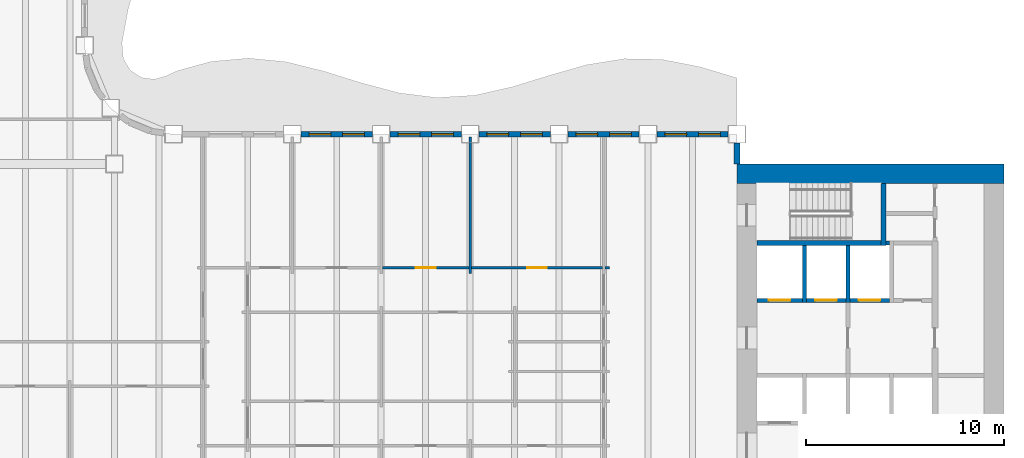
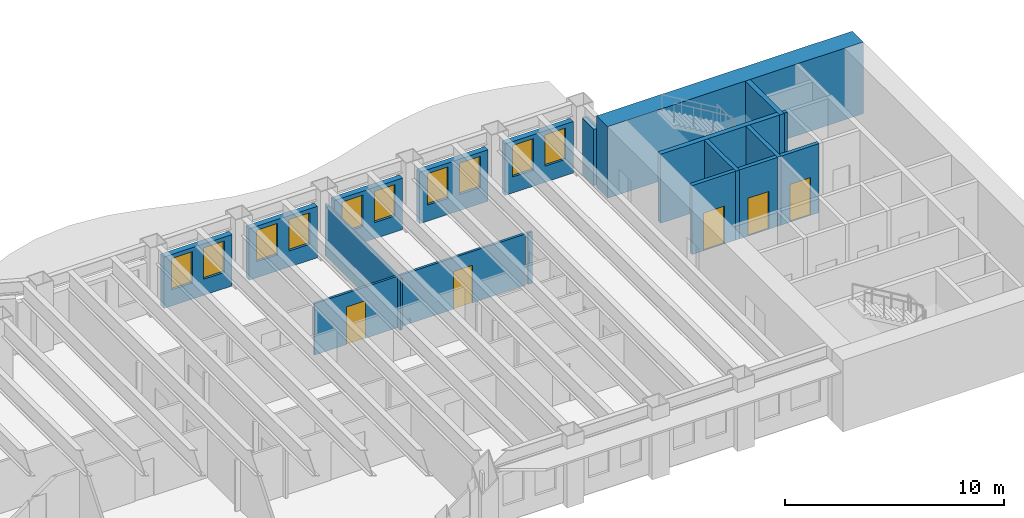
# One storey, part 7 of 16: 19 walls, 10 windows, 5 doors, 15 openings.
"""IFC4 building model written with IfcOpenShell, lengths in metres."""

from ifc_helpers import new_model, si_unit, direction, frame, frame_2d, origin, place, context, subcontext, project, spatial, rectangle, extrude, material, layer, layer_set, type_object, element, fill, save


model = new_model("IFC4")

# Units and contexts
model_context = context("Model", 3, precision=1e-05, world=origin(), true_north=direction((0.0, 1.0)))
body_context = subcontext(model_context, "Body", "Model", "MODEL_VIEW")
ifc_project = project(units=[si_unit("LENGTHUNIT", "METRE"), si_unit("AREAUNIT", "SQUARE_METRE"), si_unit("VOLUMEUNIT", "CUBIC_METRE"), si_unit("PLANEANGLEUNIT", "RADIAN"), si_unit("MASSUNIT", "GRAM", prefix="KILO")], contexts=[model_context])

# Site, building, storey
site_placement = place(None, origin())
site = spatial("IfcSite", under=ifc_project, at=site_placement, CompositionType="ELEMENT")
building_placement = place(site_placement, origin())
building = spatial("IfcBuilding", under=site, at=building_placement, Name="Sennacour Bend Tower", CompositionType="ELEMENT")
storey_placement = place(building_placement, frame((0.0, 0.0, 175.0)))
storey = spatial("IfcBuildingStorey", under=building, at=storey_placement, Name="L40", CompositionType="ELEMENT", Elevation=175.0)

# Walls
ifc_material_1 = material(Name="Concrete C60/75", Category="concrete")
ifc_layer_1 = layer(ifc_material_1, 1.0, Name="Concrete C60/75", Category="concrete")
ifc_layer_set_1 = layer_set([ifc_layer_1], Name="Concrete C60/75")
wall_type_1 = type_object("IfcWallType", Name="Core wall 1000 C60/75", PredefinedType="SHEAR", material=ifc_layer_set_1)
wall_1_placement = place(storey_placement, frame((54.0, 22.0, -0.14990234375), z_axis=(0.0, 0.0, 1.0), x_axis=(1.0, 0.0, 0.0)))
element("IfcWall", 1, at=wall_1_placement, inside=storey, type_object=wall_type_1, Name="Core A wall L40 N", PredefinedType="SHEAR", context=body_context, shape_type="SweptSolid", body=[
    extrude(rectangle(XDim=13.5, YDim=1.0, at=frame_2d((6.75, 0.0))), origin(), (0.0, 0.0, 1.0), 4.0),
])
ifc_material_2 = material(Name="Plasterboard partition on steel studs", Category="steel")
ifc_layer_2 = layer(ifc_material_2, 0.1201171875, Name="Plasterboard partition on steel studs", Category="steel")
ifc_layer_set_2 = layer_set([ifc_layer_2], Name="Plasterboard partition on steel studs")
wall_type_2 = type_object("IfcWallType", Name="Partition 120", PredefinedType="PARTITIONING", material=ifc_layer_set_2)
wall_2_placement = place(storey_placement, frame((40.5, 16.949951171875, 0.0), z_axis=(0.0, 0.0, 1.0), x_axis=(0.0, 1.0, 0.0)))
element("IfcWall", 2, at=wall_2_placement, inside=storey, type_object=wall_type_2, Name="P-L40-W034a", PredefinedType="PARTITIONING", context=body_context, shape_type="SweptSolid", body=[
    extrude(rectangle(XDim=6.900146484375, YDim=0.1201171875, at=frame_2d((3.4501953125, 0.0))), origin(), (0.0, 0.0, 1.0), 2.8701171875),
])

# Wall, opening, door
wall_3_placement = place(storey_placement, frame((36.06005859375, 17.25, 0.0), z_axis=(0.0, 0.0, 1.0), x_axis=(1.0, 0.0, 0.0)))
wall_3 = element("IfcWall", 3, at=wall_3_placement, inside=storey, type_object=wall_type_2, Name="P-L40-W073ae", PredefinedType="PARTITIONING", context=body_context, shape_type="SweptSolid", body=[
    extrude(rectangle(XDim=4.3798828125, YDim=0.1201171875, at=frame_2d((2.18994140625, 0.0))), origin(), (0.0, 0.0, 1.0), 2.8701171875),
])
opening_1_placement = place(wall_3_placement, frame((1.68994140625, 0.0, 0.0)))
opening_1 = element("IfcOpeningElement", 4, at=opening_1_placement, cuts=wall_3, Name="Opening MD2", PredefinedType="OPENING", context=body_context, shape_type="SweptSolid", body=[
    extrude(rectangle(XDim=1.0, YDim=2.10009765625, at=frame_2d((0.5, 1.050048828125))), frame((0.0, 0.070068359375, 0.0), z_axis=(0.0, -1.0, 0.0), x_axis=(1.0, 0.0, 0.0)), (0.0, 0.0, 1.0), 0.14013671875),
])
ifc_material_3 = material(Name="Timber", Category="wood")
door_type_1 = type_object("IfcDoorType", Name="DR-MEETING-1000", OperationType="NOTDEFINED", PredefinedType="DOOR", material=ifc_material_3)
door_1_placement = place(opening_1_placement, origin())
door_1 = element("IfcDoor", 5, at=door_1_placement, inside=storey, type_object=door_type_1, Name="Door", OperationType="SINGLE_SWING_LEFT", OverallHeight=2.10009765625, OverallWidth=1.0, PredefinedType="DOOR", context=body_context, shape_type="SweptSolid", body=[
    extrude(rectangle(XDim=1.0, YDim=2.10009765625, at=frame_2d((0.5, 1.050048828125))), frame((0.0, 0.02490234375, 0.0), z_axis=(0.0, -1.0, 0.0), x_axis=(1.0, 0.0, 0.0)), (0.0, 0.0, 1.0), 0.050048828125),
])
fill(opening_1, door_1)

wall_4_placement = place(storey_placement, frame((40.56005859375, 17.25, 0.0), z_axis=(0.0, 0.0, 1.0), x_axis=(1.0, 0.0, 0.0)))
wall_4 = element("IfcWall", 6, at=wall_4_placement, inside=storey, type_object=wall_type_2, Name="P-L40-W073af", PredefinedType="PARTITIONING", context=body_context, shape_type="SweptSolid", body=[
    extrude(rectangle(XDim=6.6298828125, YDim=0.1201171875, at=frame_2d((3.31494140625, 0.0))), origin(), (0.0, 0.0, 1.0), 2.8701171875),
])
opening_2_placement = place(wall_4_placement, frame((2.81494140625, 0.0, 0.0)))
opening_2 = element("IfcOpeningElement", 7, at=opening_2_placement, cuts=wall_4, Name="Opening OD2", PredefinedType="OPENING", context=body_context, shape_type="SweptSolid", body=[
    extrude(rectangle(XDim=1.0, YDim=2.10009765625, at=frame_2d((0.5, 1.050048828125))), frame((0.0, 0.070068359375, 0.0), z_axis=(0.0, -1.0, 0.0), x_axis=(1.0, 0.0, 0.0)), (0.0, 0.0, 1.0), 0.14013671875),
])
door_type_2 = type_object("IfcDoorType", Name="DR-OFFICE-1000", OperationType="NOTDEFINED", PredefinedType="DOOR", material=ifc_material_3)
door_2_placement = place(opening_2_placement, origin())
door_2 = element("IfcDoor", 8, at=door_2_placement, inside=storey, type_object=door_type_2, Name="Door", OperationType="SINGLE_SWING_LEFT", OverallHeight=2.10009765625, OverallWidth=1.0, PredefinedType="DOOR", context=body_context, shape_type="SweptSolid", body=[
    extrude(rectangle(XDim=1.0, YDim=2.10009765625, at=frame_2d((0.5, 1.050048828125))), frame((0.0, 0.02490234375, 0.0), z_axis=(0.0, -1.0, 0.0), x_axis=(1.0, 0.0, 0.0)), (0.0, 0.0, 1.0), 0.050048828125),
])
fill(opening_2, door_2)

# Walls
wall_5_placement = place(storey_placement, frame((47.31005859375, 17.25, 0.0), z_axis=(0.0, 0.0, 1.0), x_axis=(1.0, 0.0, 0.0)))
element("IfcWall", 9, at=wall_5_placement, inside=storey, type_object=wall_type_2, Name="P-L40-W073ag", PredefinedType="PARTITIONING", context=body_context, shape_type="SweptSolid", body=[
    extrude(rectangle(XDim=0.239990234375, YDim=0.1201171875, at=frame_2d((0.1201171875, 0.0))), origin(), (0.0, 0.0, 1.0), 2.8701171875),
])
ifc_material_4 = material(Name="Warm limestone cladding", Category="masonry")
ifc_layer_3 = layer(ifc_material_4, 0.050048828125, Name="Warm limestone cladding", Category="masonry")
ifc_material_5 = material(Name="Precast concrete C40/50", Category="concrete")
ifc_layer_4 = layer(ifc_material_5, 0.25, Name="Precast concrete C40/50", Category="concrete")
ifc_layer_set_3 = layer_set([ifc_layer_3, ifc_layer_4], Name="Precast concrete C40/50 with limestone cladding")
wall_type_3 = type_object("IfcWallType", Name="STONE-CLAD PRECAST SPANDREL 300", PredefinedType="STANDARD", material=ifc_layer_set_3)
wall_6_placement = place(storey_placement, frame((54.0, 22.5, 0.0), z_axis=(0.0, 0.0, 1.0), x_axis=(0.0, 1.0, 0.0)))
element("IfcWall", 10, at=wall_6_placement, inside=storey, type_object=wall_type_3, Name="Stone spandrel and pier wall L40 07.00", PredefinedType="STANDARD", context=body_context, shape_type="SweptSolid", body=[
    extrude(rectangle(XDim=1.050048828125, YDim=0.300048828125, at=frame_2d((0.52490234375, 0.0))), origin(), (0.0, 0.0, 1.0), 3.14892578125),
])

# Wall, openings, windows
wall_7_placement = place(storey_placement, frame((53.550048828125, 24.0, 0.0), z_axis=(0.0, 0.0, 1.0), x_axis=(-1.0, 0.0, 0.0)))
wall_7 = element("IfcWall", 11, at=wall_7_placement, inside=storey, type_object=wall_type_3, Name="Stone spandrel and pier wall L40 08.00", PredefinedType="STANDARD", context=body_context, shape_type="SweptSolid", body=[
    extrude(rectangle(XDim=3.60009765625, YDim=0.300048828125, at=frame_2d((1.800048828125, 0.0))), origin(), (0.0, 0.0, 1.0), 2.8701171875),
])
opening_3_placement = place(wall_7_placement, frame((0.39990234375, 0.0, 0.89990234375)))
opening_3 = element("IfcOpeningElement", 12, at=opening_3_placement, cuts=wall_7, Name="Opening W17", PredefinedType="OPENING", context=body_context, shape_type="SweptSolid", body=[
    extrude(rectangle(XDim=1.10009765625, YDim=1.75, at=frame_2d((0.550048828125, 0.875))), frame((0.0, 0.16015625, 0.0), z_axis=(0.0, -1.0, 0.0), x_axis=(1.0, 0.0, 0.0)), (0.0, 0.0, 1.0), 0.320068359375),
])
opening_4_placement = place(wall_7_placement, frame((2.10009765625, 0.0, 0.89990234375)))
opening_4 = element("IfcOpeningElement", 13, at=opening_4_placement, cuts=wall_7, Name="Opening W17", PredefinedType="OPENING", context=body_context, shape_type="SweptSolid", body=[
    extrude(rectangle(XDim=1.10009765625, YDim=1.75, at=frame_2d((0.550048828125, 0.875))), frame((0.0, 0.16015625, 0.0), z_axis=(0.0, -1.0, 0.0), x_axis=(1.0, 0.0, 0.0)), (0.0, 0.0, 1.0), 0.320068359375),
])
ifc_material_6 = material(Name="Clear low-emissivity glass", Category="glass")
window_type = type_object("IfcWindowType", Name="WIN-RIBBON-1100x1750", PartitioningType="SINGLE_PANEL", PredefinedType="WINDOW", material=ifc_material_6)
window_1_placement = place(opening_3_placement, origin())
window_1 = element("IfcWindow", 14, at=window_1_placement, inside=storey, type_object=window_type, Name="Ribbon window L40 08.00.0", OverallHeight=1.75, OverallWidth=1.10009765625, PartitioningType="SINGLE_PANEL", PredefinedType="WINDOW", context=body_context, shape_type="SweptSolid", body=[
    extrude(rectangle(XDim=1.10009765625, YDim=1.75, at=frame_2d((0.550048828125, 0.875))), frame((0.0, 0.030029296875, 0.0), z_axis=(0.0, -1.0, 0.0), x_axis=(1.0, 0.0, 0.0)), (0.0, 0.0, 1.0), 0.06005859375),
])
fill(opening_3, window_1)
window_2_placement = place(opening_4_placement, origin())
window_2 = element("IfcWindow", 15, at=window_2_placement, inside=storey, type_object=window_type, Name="Ribbon window L40 08.00.1", OverallHeight=1.75, OverallWidth=1.10009765625, PartitioningType="SINGLE_PANEL", PredefinedType="WINDOW", context=body_context, shape_type="SweptSolid", body=[
    extrude(rectangle(XDim=1.10009765625, YDim=1.75, at=frame_2d((0.550048828125, 0.875))), frame((0.0, 0.030029296875, 0.0), z_axis=(0.0, -1.0, 0.0), x_axis=(1.0, 0.0, 0.0)), (0.0, 0.0, 1.0), 0.06005859375),
])
fill(opening_4, window_2)

wall_8_placement = place(storey_placement, frame((49.050048828125, 24.0, 0.0), z_axis=(0.0, 0.0, 1.0), x_axis=(-1.0, 0.0, 0.0)))
wall_8 = element("IfcWall", 16, at=wall_8_placement, inside=storey, type_object=wall_type_3, Name="Stone spandrel and pier wall L40 08.01", PredefinedType="STANDARD", context=body_context, shape_type="SweptSolid", body=[
    extrude(rectangle(XDim=3.60009765625, YDim=0.300048828125, at=frame_2d((1.800048828125, 0.0))), origin(), (0.0, 0.0, 1.0), 2.8701171875),
])
opening_5_placement = place(wall_8_placement, frame((0.39990234375, 0.0, 0.89990234375)))
opening_5 = element("IfcOpeningElement", 17, at=opening_5_placement, cuts=wall_8, Name="Opening W17", PredefinedType="OPENING", context=body_context, shape_type="SweptSolid", body=[
    extrude(rectangle(XDim=1.10009765625, YDim=1.75, at=frame_2d((0.550048828125, 0.875))), frame((0.0, 0.16015625, 0.0), z_axis=(0.0, -1.0, 0.0), x_axis=(1.0, 0.0, 0.0)), (0.0, 0.0, 1.0), 0.320068359375),
])
opening_6_placement = place(wall_8_placement, frame((2.10009765625, 0.0, 0.89990234375)))
opening_6 = element("IfcOpeningElement", 18, at=opening_6_placement, cuts=wall_8, Name="Opening W17", PredefinedType="OPENING", context=body_context, shape_type="SweptSolid", body=[
    extrude(rectangle(XDim=1.10009765625, YDim=1.75, at=frame_2d((0.550048828125, 0.875))), frame((0.0, 0.16015625, 0.0), z_axis=(0.0, -1.0, 0.0), x_axis=(1.0, 0.0, 0.0)), (0.0, 0.0, 1.0), 0.320068359375),
])
window_3_placement = place(opening_5_placement, origin())
window_3 = element("IfcWindow", 19, at=window_3_placement, inside=storey, type_object=window_type, Name="Ribbon window L40 08.01.0", OverallHeight=1.75, OverallWidth=1.10009765625, PartitioningType="SINGLE_PANEL", PredefinedType="WINDOW", context=body_context, shape_type="SweptSolid", body=[
    extrude(rectangle(XDim=1.10009765625, YDim=1.75, at=frame_2d((0.550048828125, 0.875))), frame((0.0, 0.030029296875, 0.0), z_axis=(0.0, -1.0, 0.0), x_axis=(1.0, 0.0, 0.0)), (0.0, 0.0, 1.0), 0.06005859375),
])
fill(opening_5, window_3)
window_4_placement = place(opening_6_placement, origin())
window_4 = element("IfcWindow", 20, at=window_4_placement, inside=storey, type_object=window_type, Name="Ribbon window L40 08.01.1", OverallHeight=1.75, OverallWidth=1.10009765625, PartitioningType="SINGLE_PANEL", PredefinedType="WINDOW", context=body_context, shape_type="SweptSolid", body=[
    extrude(rectangle(XDim=1.10009765625, YDim=1.75, at=frame_2d((0.550048828125, 0.875))), frame((0.0, 0.030029296875, 0.0), z_axis=(0.0, -1.0, 0.0), x_axis=(1.0, 0.0, 0.0)), (0.0, 0.0, 1.0), 0.06005859375),
])
fill(opening_6, window_4)

wall_9_placement = place(storey_placement, frame((44.550048828125, 24.0, 0.0), z_axis=(0.0, 0.0, 1.0), x_axis=(-1.0, 0.0, 0.0)))
wall_9 = element("IfcWall", 21, at=wall_9_placement, inside=storey, type_object=wall_type_3, Name="Stone spandrel and pier wall L40 08.02", PredefinedType="STANDARD", context=body_context, shape_type="SweptSolid", body=[
    extrude(rectangle(XDim=3.60009765625, YDim=0.300048828125, at=frame_2d((1.800048828125, 0.0))), origin(), (0.0, 0.0, 1.0), 2.8701171875),
])
opening_7_placement = place(wall_9_placement, frame((0.39990234375, 0.0, 0.89990234375)))
opening_7 = element("IfcOpeningElement", 22, at=opening_7_placement, cuts=wall_9, Name="Opening W17", PredefinedType="OPENING", context=body_context, shape_type="SweptSolid", body=[
    extrude(rectangle(XDim=1.10009765625, YDim=1.75, at=frame_2d((0.550048828125, 0.875))), frame((0.0, 0.16015625, 0.0), z_axis=(0.0, -1.0, 0.0), x_axis=(1.0, 0.0, 0.0)), (0.0, 0.0, 1.0), 0.320068359375),
])
opening_8_placement = place(wall_9_placement, frame((2.10009765625, 0.0, 0.89990234375)))
opening_8 = element("IfcOpeningElement", 23, at=opening_8_placement, cuts=wall_9, Name="Opening W17", PredefinedType="OPENING", context=body_context, shape_type="SweptSolid", body=[
    extrude(rectangle(XDim=1.10009765625, YDim=1.75, at=frame_2d((0.550048828125, 0.875))), frame((0.0, 0.16015625, 0.0), z_axis=(0.0, -1.0, 0.0), x_axis=(1.0, 0.0, 0.0)), (0.0, 0.0, 1.0), 0.320068359375),
])
window_5_placement = place(opening_7_placement, origin())
window_5 = element("IfcWindow", 24, at=window_5_placement, inside=storey, type_object=window_type, Name="Ribbon window L40 08.02.0", OverallHeight=1.75, OverallWidth=1.10009765625, PartitioningType="SINGLE_PANEL", PredefinedType="WINDOW", context=body_context, shape_type="SweptSolid", body=[
    extrude(rectangle(XDim=1.10009765625, YDim=1.75, at=frame_2d((0.550048828125, 0.875))), frame((0.0, 0.030029296875, 0.0), z_axis=(0.0, -1.0, 0.0), x_axis=(1.0, 0.0, 0.0)), (0.0, 0.0, 1.0), 0.06005859375),
])
fill(opening_7, window_5)
window_6_placement = place(opening_8_placement, origin())
window_6 = element("IfcWindow", 25, at=window_6_placement, inside=storey, type_object=window_type, Name="Ribbon window L40 08.02.1", OverallHeight=1.75, OverallWidth=1.10009765625, PartitioningType="SINGLE_PANEL", PredefinedType="WINDOW", context=body_context, shape_type="SweptSolid", body=[
    extrude(rectangle(XDim=1.10009765625, YDim=1.75, at=frame_2d((0.550048828125, 0.875))), frame((0.0, 0.030029296875, 0.0), z_axis=(0.0, -1.0, 0.0), x_axis=(1.0, 0.0, 0.0)), (0.0, 0.0, 1.0), 0.06005859375),
])
fill(opening_8, window_6)

wall_10_placement = place(storey_placement, frame((40.050048828125, 24.0, 0.0), z_axis=(0.0, 0.0, 1.0), x_axis=(-1.0, 0.0, 0.0)))
wall_10 = element("IfcWall", 26, at=wall_10_placement, inside=storey, type_object=wall_type_3, Name="Stone spandrel and pier wall L40 08.03", PredefinedType="STANDARD", context=body_context, shape_type="SweptSolid", body=[
    extrude(rectangle(XDim=3.60009765625, YDim=0.300048828125, at=frame_2d((1.800048828125, 0.0))), origin(), (0.0, 0.0, 1.0), 2.8701171875),
])
opening_9_placement = place(wall_10_placement, frame((0.39990234375, 0.0, 0.89990234375)))
opening_9 = element("IfcOpeningElement", 27, at=opening_9_placement, cuts=wall_10, Name="Opening W17", PredefinedType="OPENING", context=body_context, shape_type="SweptSolid", body=[
    extrude(rectangle(XDim=1.10009765625, YDim=1.75, at=frame_2d((0.550048828125, 0.875))), frame((0.0, 0.16015625, 0.0), z_axis=(0.0, -1.0, 0.0), x_axis=(1.0, 0.0, 0.0)), (0.0, 0.0, 1.0), 0.320068359375),
])
opening_10_placement = place(wall_10_placement, frame((2.10009765625, 0.0, 0.89990234375)))
opening_10 = element("IfcOpeningElement", 28, at=opening_10_placement, cuts=wall_10, Name="Opening W17", PredefinedType="OPENING", context=body_context, shape_type="SweptSolid", body=[
    extrude(rectangle(XDim=1.10009765625, YDim=1.75, at=frame_2d((0.550048828125, 0.875))), frame((0.0, 0.16015625, 0.0), z_axis=(0.0, -1.0, 0.0), x_axis=(1.0, 0.0, 0.0)), (0.0, 0.0, 1.0), 0.320068359375),
])
window_7_placement = place(opening_9_placement, origin())
window_7 = element("IfcWindow", 29, at=window_7_placement, inside=storey, type_object=window_type, Name="Ribbon window L40 08.03.0", OverallHeight=1.75, OverallWidth=1.10009765625, PartitioningType="SINGLE_PANEL", PredefinedType="WINDOW", context=body_context, shape_type="SweptSolid", body=[
    extrude(rectangle(XDim=1.10009765625, YDim=1.75, at=frame_2d((0.550048828125, 0.875))), frame((0.0, 0.030029296875, 0.0), z_axis=(0.0, -1.0, 0.0), x_axis=(1.0, 0.0, 0.0)), (0.0, 0.0, 1.0), 0.06005859375),
])
fill(opening_9, window_7)
window_8_placement = place(opening_10_placement, origin())
window_8 = element("IfcWindow", 30, at=window_8_placement, inside=storey, type_object=window_type, Name="Ribbon window L40 08.03.1", OverallHeight=1.75, OverallWidth=1.10009765625, PartitioningType="SINGLE_PANEL", PredefinedType="WINDOW", context=body_context, shape_type="SweptSolid", body=[
    extrude(rectangle(XDim=1.10009765625, YDim=1.75, at=frame_2d((0.550048828125, 0.875))), frame((0.0, 0.030029296875, 0.0), z_axis=(0.0, -1.0, 0.0), x_axis=(1.0, 0.0, 0.0)), (0.0, 0.0, 1.0), 0.06005859375),
])
fill(opening_10, window_8)

wall_11_placement = place(storey_placement, frame((35.550048828125, 24.0, 0.0), z_axis=(0.0, 0.0, 1.0), x_axis=(-1.0, 0.0, 0.0)))
wall_11 = element("IfcWall", 31, at=wall_11_placement, inside=storey, type_object=wall_type_3, Name="Stone spandrel and pier wall L40 08.04", PredefinedType="STANDARD", context=body_context, shape_type="SweptSolid", body=[
    extrude(rectangle(XDim=3.60009765625, YDim=0.300048828125, at=frame_2d((1.800048828125, 0.0))), origin(), (0.0, 0.0, 1.0), 2.8701171875),
])
opening_11_placement = place(wall_11_placement, frame((0.39990234375, 0.0, 0.89990234375)))
opening_11 = element("IfcOpeningElement", 32, at=opening_11_placement, cuts=wall_11, Name="Opening W17", PredefinedType="OPENING", context=body_context, shape_type="SweptSolid", body=[
    extrude(rectangle(XDim=1.10009765625, YDim=1.75, at=frame_2d((0.550048828125, 0.875))), frame((0.0, 0.16015625, 0.0), z_axis=(0.0, -1.0, 0.0), x_axis=(1.0, 0.0, 0.0)), (0.0, 0.0, 1.0), 0.320068359375),
])
opening_12_placement = place(wall_11_placement, frame((2.10009765625, 0.0, 0.89990234375)))
opening_12 = element("IfcOpeningElement", 33, at=opening_12_placement, cuts=wall_11, Name="Opening W17", PredefinedType="OPENING", context=body_context, shape_type="SweptSolid", body=[
    extrude(rectangle(XDim=1.10009765625, YDim=1.75, at=frame_2d((0.550048828125, 0.875))), frame((0.0, 0.16015625, 0.0), z_axis=(0.0, -1.0, 0.0), x_axis=(1.0, 0.0, 0.0)), (0.0, 0.0, 1.0), 0.320068359375),
])
window_9_placement = place(opening_11_placement, origin())
window_9 = element("IfcWindow", 34, at=window_9_placement, inside=storey, type_object=window_type, Name="Ribbon window L40 08.04.0", OverallHeight=1.75, OverallWidth=1.10009765625, PartitioningType="SINGLE_PANEL", PredefinedType="WINDOW", context=body_context, shape_type="SweptSolid", body=[
    extrude(rectangle(XDim=1.10009765625, YDim=1.75, at=frame_2d((0.550048828125, 0.875))), frame((0.0, 0.030029296875, 0.0), z_axis=(0.0, -1.0, 0.0), x_axis=(1.0, 0.0, 0.0)), (0.0, 0.0, 1.0), 0.06005859375),
])
fill(opening_11, window_9)
window_10_placement = place(opening_12_placement, origin())
window_10 = element("IfcWindow", 35, at=window_10_placement, inside=storey, type_object=window_type, Name="Ribbon window L40 08.04.1", OverallHeight=1.75, OverallWidth=1.10009765625, PartitioningType="SINGLE_PANEL", PredefinedType="WINDOW", context=body_context, shape_type="SweptSolid", body=[
    extrude(rectangle(XDim=1.10009765625, YDim=1.75, at=frame_2d((0.550048828125, 0.875))), frame((0.0, 0.030029296875, 0.0), z_axis=(0.0, -1.0, 0.0), x_axis=(1.0, 0.0, 0.0)), (0.0, 0.0, 1.0), 0.06005859375),
])
fill(opening_12, window_10)

# Walls
ifc_material_7 = material(Name="Concrete C50/60", Category="concrete")
ifc_layer_5 = layer(ifc_material_7, 0.199951171875, Name="Concrete C50/60", Category="concrete")
ifc_layer_set_4 = layer_set([ifc_layer_5], Name="Concrete C50/60")
wall_type_4 = type_object("IfcWallType", Name="Shaft wall 200", PredefinedType="SOLIDWALL", material=ifc_layer_set_4)
for number, where, z_axis, x_axis, name in (
    (36, (57.39990234375, 15.5, 0.0), (0.0, 0.0, 1.0), (0.0, 1.0, 0.0), "P-L40-W039"),
    (37, (59.60009765625, 15.5, 0.0), (0.0, 0.0, 1.0), (0.0, 1.0, 0.0), "P-L40-W042"),
):
    element("IfcWall", number, at=place(storey_placement, frame(where, z_axis=z_axis, x_axis=x_axis)), inside=storey, type_object=wall_type_4, Name=name, PredefinedType="SOLIDWALL", context=body_context, shape_type="SweptSolid", body=[
        extrude(rectangle(XDim=2.875, YDim=0.199951171875, at=frame_2d((1.4375, 0.0))), origin(), (0.0, 0.0, 1.0), 3.85009765625),
    ])

# Wall, opening, door
wall_12_placement = place(storey_placement, frame((55.0, 15.60009765625, 0.0), z_axis=(0.0, 0.0, 1.0), x_axis=(1.0, 0.0, 0.0)))
wall_12 = element("IfcWall", 38, at=wall_12_placement, inside=storey, type_object=wall_type_4, Name="P-L40-W071a", PredefinedType="SOLIDWALL", context=body_context, shape_type="SweptSolid", body=[
    extrude(rectangle(XDim=2.300048828125, YDim=0.199951171875, at=frame_2d((1.14990234375, 0.0))), origin(), (0.0, 0.0, 1.0), 3.85009765625),
])
opening_13_placement = place(wall_12_placement, frame((0.60009765625, 0.0, 0.011962890625)))
opening_13 = element("IfcOpeningElement", 39, at=opening_13_placement, cuts=wall_12, Name="Opening FLD", PredefinedType="OPENING", context=body_context, shape_type="SweptSolid", body=[
    extrude(rectangle(XDim=1.10009765625, YDim=2.10009765625, at=frame_2d((0.550048828125, 1.050048828125))), frame((0.0, 0.10986328125, 0.0), z_axis=(0.0, -1.0, 0.0), x_axis=(1.0, 0.0, 0.0)), (0.0, 0.0, 1.0), 0.219970703125),
])
ifc_material_8 = material(Name="Stainless steel", Category="steel")
door_type_3 = type_object("IfcDoorType", Name="DR-FF-LANDING-1100", OperationType="NOTDEFINED", PredefinedType="DOOR", material=ifc_material_8)
door_3_placement = place(opening_13_placement, origin())
door_3 = element("IfcDoor", 40, at=door_3_placement, inside=storey, type_object=door_type_3, Name="Fire service lift landing door FA1", OperationType="SLIDING_TO_LEFT", OverallHeight=2.10009765625, OverallWidth=1.10009765625, PredefinedType="DOOR", context=body_context, shape_type="SweptSolid", body=[
    extrude(rectangle(XDim=1.10009765625, YDim=2.10009765625, at=frame_2d((0.550048828125, 1.050048828125))), frame((0.0, 0.02490234375, 0.0), z_axis=(0.0, -1.0, 0.0), x_axis=(1.0, 0.0, 0.0)), (0.0, 0.0, 1.0), 0.050048828125),
])
fill(opening_13, door_3)

wall_13_placement = place(storey_placement, frame((57.5, 15.60009765625, 0.0), z_axis=(0.0, 0.0, 1.0), x_axis=(1.0, 0.0, 0.0)))
wall_13 = element("IfcWall", 41, at=wall_13_placement, inside=storey, type_object=wall_type_4, Name="P-L40-W071b", PredefinedType="SOLIDWALL", context=body_context, shape_type="SweptSolid", body=[
    extrude(rectangle(XDim=2.0, YDim=0.199951171875, at=frame_2d((1.0, 0.0))), origin(), (0.0, 0.0, 1.0), 3.85009765625),
])
opening_14_placement = place(wall_13_placement, frame((0.449951171875, 0.0, 0.011962890625)))
opening_14 = element("IfcOpeningElement", 42, at=opening_14_placement, cuts=wall_13, Name="Opening FLD", PredefinedType="OPENING", context=body_context, shape_type="SweptSolid", body=[
    extrude(rectangle(XDim=1.10009765625, YDim=2.10009765625, at=frame_2d((0.550048828125, 1.050048828125))), frame((0.0, 0.10986328125, 0.0), z_axis=(0.0, -1.0, 0.0), x_axis=(1.0, 0.0, 0.0)), (0.0, 0.0, 1.0), 0.219970703125),
])
door_4_placement = place(opening_14_placement, origin())
door_4 = element("IfcDoor", 43, at=door_4_placement, inside=storey, type_object=door_type_3, Name="Fire service lift landing door FA2", OperationType="SLIDING_TO_RIGHT", OverallHeight=2.10009765625, OverallWidth=1.10009765625, PredefinedType="DOOR", context=body_context, shape_type="SweptSolid", body=[
    extrude(rectangle(XDim=1.10009765625, YDim=2.10009765625, at=frame_2d((0.550048828125, 1.050048828125))), frame((0.0, 0.02490234375, 0.0), z_axis=(0.0, -1.0, 0.0), x_axis=(1.0, 0.0, 0.0)), (0.0, 0.0, 1.0), 0.050048828125),
])
fill(opening_14, door_4)

wall_14_placement = place(storey_placement, frame((59.699951171875, 15.60009765625, 0.0), z_axis=(0.0, 0.0, 1.0), x_axis=(1.0, 0.0, 0.0)))
wall_14 = element("IfcWall", 44, at=wall_14_placement, inside=storey, type_object=wall_type_4, Name="P-L40-W071c", PredefinedType="SOLIDWALL", context=body_context, shape_type="SweptSolid", body=[
    extrude(rectangle(XDim=2.0, YDim=0.199951171875, at=frame_2d((1.0, 0.0))), origin(), (0.0, 0.0, 1.0), 3.85009765625),
])
opening_15_placement = place(wall_14_placement, frame((0.449951171875, 0.0, 0.011962890625)))
opening_15 = element("IfcOpeningElement", 45, at=opening_15_placement, cuts=wall_14, Name="Opening LD", PredefinedType="OPENING", context=body_context, shape_type="SweptSolid", body=[
    extrude(rectangle(XDim=1.10009765625, YDim=2.10009765625, at=frame_2d((0.550048828125, 1.050048828125))), frame((0.0, 0.10986328125, 0.0), z_axis=(0.0, -1.0, 0.0), x_axis=(1.0, 0.0, 0.0)), (0.0, 0.0, 1.0), 0.219970703125),
])
door_type_4 = type_object("IfcDoorType", Name="DR-LANDING-1100", OperationType="NOTDEFINED", PredefinedType="DOOR", material=ifc_material_8)
door_5_placement = place(opening_15_placement, origin())
door_5 = element("IfcDoor", 46, at=door_5_placement, inside=storey, type_object=door_type_4, Name="Lift landing door HA5", OperationType="SLIDING_TO_LEFT", OverallHeight=2.10009765625, OverallWidth=1.10009765625, PredefinedType="DOOR", context=body_context, shape_type="SweptSolid", body=[
    extrude(rectangle(XDim=1.10009765625, YDim=2.10009765625, at=frame_2d((0.550048828125, 1.050048828125))), frame((0.0, 0.02490234375, 0.0), z_axis=(0.0, -1.0, 0.0), x_axis=(1.0, 0.0, 0.0)), (0.0, 0.0, 1.0), 0.050048828125),
])
fill(opening_15, door_5)

# Walls
wall_15_placement = place(storey_placement, frame((61.52490234375, 18.5, 0.0), z_axis=(0.0, 0.0, 1.0), x_axis=(1.0, 0.0, 0.0)))
element("IfcWall", 47, at=wall_15_placement, inside=storey, type_object=wall_type_4, Name="P-L40-W075", PredefinedType="SOLIDWALL", context=body_context, shape_type="SweptSolid", body=[
    extrude(rectangle(XDim=0.175048828125, YDim=0.199951171875, at=frame_2d((0.08740234375, 0.0))), origin(), (0.0, 0.0, 1.0), 3.85009765625),
])
ifc_layer_6 = layer(ifc_material_1, 0.25, Name="Concrete C60/75", Category="concrete")
ifc_layer_set_5 = layer_set([ifc_layer_6], Name="Concrete C60/75")
wall_type_5 = type_object("IfcWallType", Name="Stair wall 250", PredefinedType="SHEAR", material=ifc_layer_set_5)
wall_16_placement = place(storey_placement, frame((61.39990234375, 18.375, 0.0), z_axis=(0.0, 0.0, 1.0), x_axis=(0.0, 1.0, 0.0)))
element("IfcWall", 48, at=wall_16_placement, inside=storey, type_object=wall_type_5, Name="P-L40-W044", PredefinedType="SHEAR", context=body_context, shape_type="SweptSolid", body=[
    extrude(rectangle(XDim=3.125, YDim=0.25, at=frame_2d((1.5625, 0.0))), origin(), (0.0, 0.0, 1.0), 3.85009765625),
])
wall_17_placement = place(storey_placement, frame((55.0, 18.5, 0.0), z_axis=(0.0, 0.0, 1.0), x_axis=(1.0, 0.0, 0.0)))
element("IfcWall", 49, at=wall_17_placement, inside=storey, type_object=wall_type_5, Name="P-L40-W074", PredefinedType="SHEAR", context=body_context, shape_type="SweptSolid", body=[
    extrude(rectangle(XDim=6.27490234375, YDim=0.25, at=frame_2d((3.137451171875, 0.0))), origin(), (0.0, 0.0, 1.0), 3.85009765625),
])

save(model, "model.ifc")
